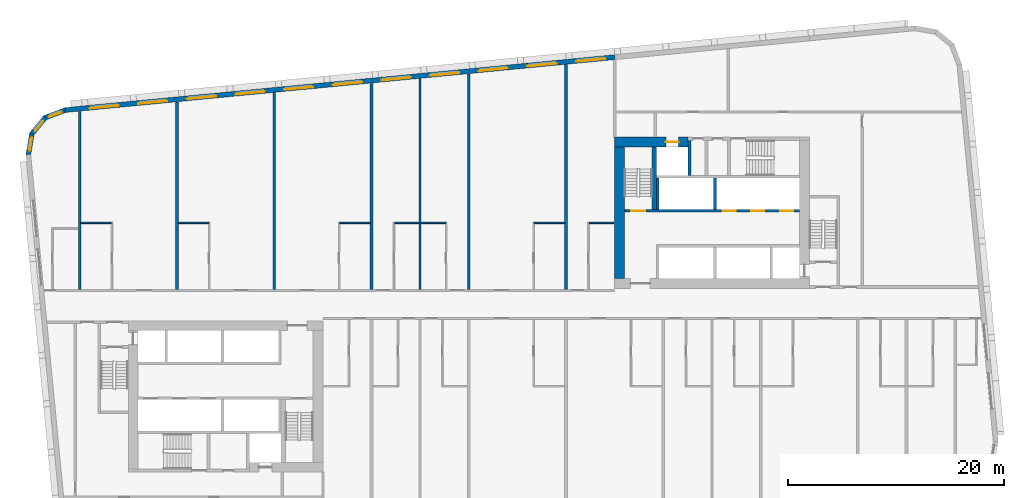
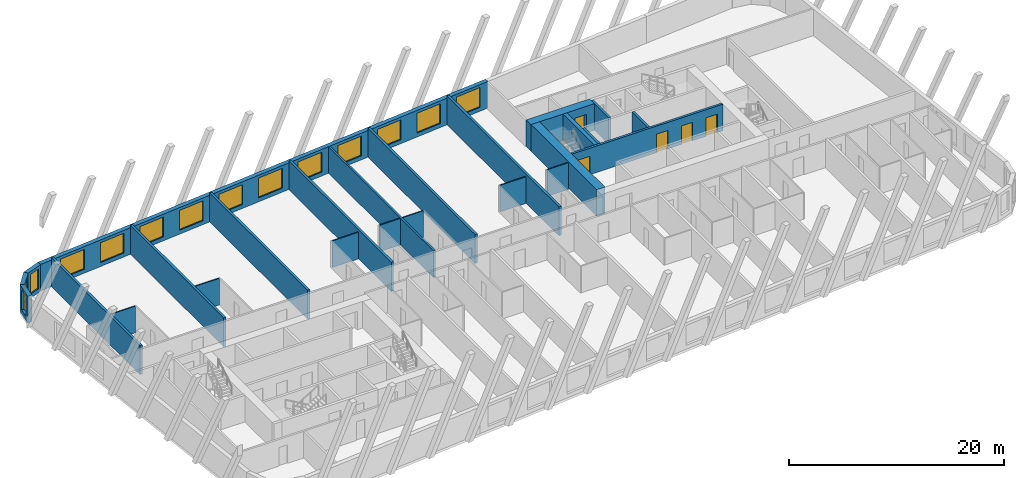
# One storey, part 6 of 13: 25 walls, 14 windows, 5 doors, 19 openings.
"""IFC4 building model written with IfcOpenShell, lengths in metres."""

from ifc_helpers import new_model, si_unit, direction, frame, frame_2d, origin, place, context, subcontext, project, spatial, polyline, rectangle, outline, extrude, material, layer, layer_set, type_object, element, fill, save


model = new_model("IFC4")

# Units and contexts
model_context = context("Model", 3, precision=1e-05, world=origin(), true_north=direction((0.0, 1.0)))
body_context = subcontext(model_context, "Body", "Model", "MODEL_VIEW")
ifc_project = project(units=[si_unit("LENGTHUNIT", "METRE"), si_unit("AREAUNIT", "SQUARE_METRE"), si_unit("VOLUMEUNIT", "CUBIC_METRE"), si_unit("PLANEANGLEUNIT", "RADIAN"), si_unit("MASSUNIT", "GRAM", prefix="KILO")], contexts=[model_context])

# Site, building, storey
site_placement = place(None, origin())
site = spatial("IfcSite", under=ifc_project, at=site_placement, CompositionType="ELEMENT")
building_placement = place(site_placement, origin())
building = spatial("IfcBuilding", under=site, at=building_placement, Name="Kajstack Hotel Tower", CompositionType="ELEMENT")
storey_placement = place(building_placement, frame((0.0, 0.0, 140.5)))
storey = spatial("IfcBuildingStorey", under=building, at=storey_placement, Name="L32", CompositionType="ELEMENT", Elevation=140.5)

# Wall, opening, door
ifc_material_1 = material(Name="Concrete C60/75", Category="concrete")
ifc_layer_1 = layer(ifc_material_1, 0.89990234375)
ifc_layer_set_1 = layer_set([ifc_layer_1], Name="Core wall 900")
wall_type_1 = type_object("IfcWallType", Name="Core wall 900", PredefinedType="SHEAR", material=ifc_layer_set_1)
wall_1_placement = place(storey_placement, frame((13.5, 15.050048828125, 0.0), z_axis=(0.0, 0.0, 1.0), x_axis=(1.0, 0.0, 0.0)))
wall_1 = element("IfcWall", 1, at=wall_1_placement, inside=storey, type_object=wall_type_1, Name="Core wall E RS", PredefinedType="SHEAR", context=body_context, shape_type="SweptSolid", body=[
    extrude(rectangle(XDim=6.800048828125, YDim=0.89990234375, at=frame_2d((3.39990234375, 0.0))), origin(), (0.0, 0.0, 1.0), 3.02001953125),
])
opening_1_placement = place(wall_1_placement, frame((4.72509765625, 0.0, 0.0)))
opening_1 = element("IfcOpeningElement", 2, at=opening_1_placement, cuts=wall_1, Name="Opening LD-SV2", PredefinedType="OPENING", context=body_context, shape_type="SweptSolid", body=[
    extrude(rectangle(XDim=1.199951171875, YDim=2.10009765625, at=frame_2d((0.60009765625, 1.050048828125))), frame((0.0, 0.4599609375, 0.0), z_axis=(0.0, -1.0, 0.0), x_axis=(1.0, 0.0, 0.0)), (0.0, 0.0, 1.0), 0.919921875),
])
ifc_material_2 = material(Name="Stainless steel", Category="steel")
door_type_1 = type_object("IfcDoorType", Name="Lift landing door 1200", OperationType="SLIDING_TO_LEFT", PredefinedType="DOOR", material=ifc_material_2)
door_1_placement = place(opening_1_placement, origin())
door_1 = element("IfcDoor", 3, at=door_1_placement, inside=storey, type_object=door_type_1, Name="Landing door SV2", OperationType="SLIDING_TO_LEFT", OverallHeight=2.10009765625, OverallWidth=1.199951171875, PredefinedType="DOOR", context=body_context, shape_type="SweptSolid", body=[
    extrude(rectangle(XDim=1.199951171875, YDim=2.10009765625, at=frame_2d((0.60009765625, 1.050048828125))), frame((0.0, 0.02490234375, 0.0), z_axis=(0.0, -1.0, 0.0), x_axis=(1.0, 0.0, 0.0)), (0.0, 0.0, 1.0), 0.050048828125),
])
fill(opening_1, door_1)

# Walls
wall_2_placement = place(storey_placement, frame((13.949951171875, 2.39990234375, 0.0), z_axis=(0.0, 0.0, 1.0), x_axis=(0.0, 1.0, 0.0)))
element("IfcWall", 4, at=wall_2_placement, inside=storey, type_object=wall_type_1, Name="Core wall E RE", PredefinedType="SHEAR", context=body_context, shape_type="SweptSolid", body=[
    extrude(rectangle(XDim=12.2001953125, YDim=0.89990234375, at=frame_2d((6.10009765625, 0.0))), origin(), (0.0, 0.0, 1.0), 3.02001953125),
])
ifc_material_3 = material(Name="Twin-frame gypsum board on steel studs, mineral wool", Category="steel")
ifc_layer_2 = layer(ifc_material_3, 0.199951171875)
ifc_layer_set_2 = layer_set([ifc_layer_2], Name="Demising wall 200")
wall_type_2 = type_object("IfcWallType", Name="Demising wall 200", PredefinedType="PARTITIONING", material=ifc_layer_set_2)
wall_3_placement = place(storey_placement, frame((-4.5, 1.39990234375, 0.0), z_axis=(0.0, 0.0, 1.0), x_axis=(0.0, 1.0, 0.0)))
element("IfcWall", 5, at=wall_3_placement, inside=storey, type_object=wall_type_2, Name="G-wall-L32-012", PredefinedType="PARTITIONING", context=body_context, shape_type="SweptSolid", body=[
    extrude(rectangle(XDim=19.529052734375, YDim=0.199951171875, at=frame_2d((9.7646484375, 0.0))), origin(), (0.0, 0.0, 1.0), 3.02001953125),
])

# Wall, openings, windows
ifc_material_4 = material(Name="Terracotta-faced brick masonry", Category="masonry")
ifc_layer_3 = layer(ifc_material_4, 0.449951171875)
ifc_layer_set_3 = layer_set([ifc_layer_3], Name="EW-TERRA")
wall_type_3 = type_object("IfcWallType", Name="EW-TERRA", PredefinedType="SOLIDWALL", material=ifc_layer_set_3)
wall_4_placement = place(storey_placement, frame((13.521484375, 22.89013671875, 0.0), z_axis=(0.0, 0.0, 1.0), x_axis=(-0.995396445054, -0.095843190545, 0.0)))
wall_4 = element("IfcWall", 6, at=wall_4_placement, inside=storey, type_object=wall_type_3, Name="E-wall-L32-12-02", PredefinedType="SOLIDWALL", context=body_context, shape_type="SweptSolid", body=[
    extrude(rectangle(XDim=51.114013671875, YDim=0.449951171875, at=frame_2d((25.55712890625, 0.0))), origin(), (0.0, 0.0, 1.0), 3.02001953125),
])
opening_2_placement = place(wall_4_placement, frame((0.910400390625, 0.0, 0.449951171875)))
opening_2 = element("IfcOpeningElement", 7, at=opening_2_placement, cuts=wall_4, Name="Opening W1", PredefinedType="OPENING", context=body_context, shape_type="SweptSolid", body=[
    extrude(rectangle(XDim=2.699951171875, YDim=2.25, at=frame_2d((1.35009765625, 1.125))), frame((0.0, 0.23486328125, 0.0), z_axis=(0.0, -1.0, 0.0), x_axis=(1.0, 0.0, 0.0)), (0.0, 0.0, 1.0), 0.469970703125),
])
opening_3_placement = place(wall_4_placement, frame((5.43115234375, 0.0, 0.449951171875)))
opening_3 = element("IfcOpeningElement", 8, at=opening_3_placement, cuts=wall_4, Name="Opening W1", PredefinedType="OPENING", context=body_context, shape_type="SweptSolid", body=[
    extrude(rectangle(XDim=2.699951171875, YDim=2.25, at=frame_2d((1.35009765625, 1.125))), frame((0.0, 0.23486328125, 0.0), z_axis=(0.0, -1.0, 0.0), x_axis=(1.0, 0.0, 0.0)), (0.0, 0.0, 1.0), 0.469970703125),
])
opening_4_placement = place(wall_4_placement, frame((9.951904296875, 0.0, 0.449951171875)))
opening_4 = element("IfcOpeningElement", 9, at=opening_4_placement, cuts=wall_4, Name="Opening W1", PredefinedType="OPENING", context=body_context, shape_type="SweptSolid", body=[
    extrude(rectangle(XDim=2.699951171875, YDim=2.25, at=frame_2d((1.35009765625, 1.125))), frame((0.0, 0.23486328125, 0.0), z_axis=(0.0, -1.0, 0.0), x_axis=(1.0, 0.0, 0.0)), (0.0, 0.0, 1.0), 0.469970703125),
])
opening_5_placement = place(wall_4_placement, frame((14.472900390625, 0.0, 0.449951171875)))
opening_5 = element("IfcOpeningElement", 10, at=opening_5_placement, cuts=wall_4, Name="Opening W1", PredefinedType="OPENING", context=body_context, shape_type="SweptSolid", body=[
    extrude(rectangle(XDim=2.699951171875, YDim=2.25, at=frame_2d((1.35009765625, 1.125))), frame((0.0, 0.23486328125, 0.0), z_axis=(0.0, -1.0, 0.0), x_axis=(1.0, 0.0, 0.0)), (0.0, 0.0, 1.0), 0.469970703125),
])
opening_6_placement = place(wall_4_placement, frame((18.99365234375, 0.0, 0.449951171875)))
opening_6 = element("IfcOpeningElement", 11, at=opening_6_placement, cuts=wall_4, Name="Opening W1", PredefinedType="OPENING", context=body_context, shape_type="SweptSolid", body=[
    extrude(rectangle(XDim=2.699951171875, YDim=2.25, at=frame_2d((1.35009765625, 1.125))), frame((0.0, 0.23486328125, 0.0), z_axis=(0.0, -1.0, 0.0), x_axis=(1.0, 0.0, 0.0)), (0.0, 0.0, 1.0), 0.469970703125),
])
opening_7_placement = place(wall_4_placement, frame((23.514404296875, 0.0, 0.449951171875)))
opening_7 = element("IfcOpeningElement", 12, at=opening_7_placement, cuts=wall_4, Name="Opening W1", PredefinedType="OPENING", context=body_context, shape_type="SweptSolid", body=[
    extrude(rectangle(XDim=2.699951171875, YDim=2.25, at=frame_2d((1.35009765625, 1.125))), frame((0.0, 0.23486328125, 0.0), z_axis=(0.0, -1.0, 0.0), x_axis=(1.0, 0.0, 0.0)), (0.0, 0.0, 1.0), 0.469970703125),
])
opening_8_placement = place(wall_4_placement, frame((28.035400390625, 0.0, 0.449951171875)))
opening_8 = element("IfcOpeningElement", 13, at=opening_8_placement, cuts=wall_4, Name="Opening W1", PredefinedType="OPENING", context=body_context, shape_type="SweptSolid", body=[
    extrude(rectangle(XDim=2.699951171875, YDim=2.25, at=frame_2d((1.35009765625, 1.125))), frame((0.0, 0.23486328125, 0.0), z_axis=(0.0, -1.0, 0.0), x_axis=(1.0, 0.0, 0.0)), (0.0, 0.0, 1.0), 0.469970703125),
])
opening_9_placement = place(wall_4_placement, frame((32.55615234375, 0.0, 0.449951171875)))
opening_9 = element("IfcOpeningElement", 14, at=opening_9_placement, cuts=wall_4, Name="Opening W1", PredefinedType="OPENING", context=body_context, shape_type="SweptSolid", body=[
    extrude(rectangle(XDim=2.699951171875, YDim=2.25, at=frame_2d((1.35009765625, 1.125))), frame((0.0, 0.23486328125, 0.0), z_axis=(0.0, -1.0, 0.0), x_axis=(1.0, 0.0, 0.0)), (0.0, 0.0, 1.0), 0.469970703125),
])
opening_10_placement = place(wall_4_placement, frame((37.076904296875, 0.0, 0.449951171875)))
opening_10 = element("IfcOpeningElement", 15, at=opening_10_placement, cuts=wall_4, Name="Opening W1", PredefinedType="OPENING", context=body_context, shape_type="SweptSolid", body=[
    extrude(rectangle(XDim=2.699951171875, YDim=2.25, at=frame_2d((1.35009765625, 1.125))), frame((0.0, 0.23486328125, 0.0), z_axis=(0.0, -1.0, 0.0), x_axis=(1.0, 0.0, 0.0)), (0.0, 0.0, 1.0), 0.469970703125),
])
opening_11_placement = place(wall_4_placement, frame((41.59765625, 0.0, 0.449951171875)))
opening_11 = element("IfcOpeningElement", 16, at=opening_11_placement, cuts=wall_4, Name="Opening W1", PredefinedType="OPENING", context=body_context, shape_type="SweptSolid", body=[
    extrude(rectangle(XDim=2.699951171875, YDim=2.25, at=frame_2d((1.35009765625, 1.125))), frame((0.0, 0.23486328125, 0.0), z_axis=(0.0, -1.0, 0.0), x_axis=(1.0, 0.0, 0.0)), (0.0, 0.0, 1.0), 0.469970703125),
])
opening_12_placement = place(wall_4_placement, frame((46.118408203125, 0.0, 0.449951171875)))
opening_12 = element("IfcOpeningElement", 17, at=opening_12_placement, cuts=wall_4, Name="Opening W1", PredefinedType="OPENING", context=body_context, shape_type="SweptSolid", body=[
    extrude(rectangle(XDim=2.699951171875, YDim=2.25, at=frame_2d((1.35009765625, 1.125))), frame((0.0, 0.23486328125, 0.0), z_axis=(0.0, -1.0, 0.0), x_axis=(1.0, 0.0, 0.0)), (0.0, 0.0, 1.0), 0.469970703125),
])
ifc_material_5 = material(Name="Timber-aluminium window, triple glazed", Category="wood")
window_type_1 = type_object("IfcWindowType", Name="WG1", PartitioningType="SINGLE_PANEL", PredefinedType="WINDOW", material=ifc_material_5)
window_1_placement = place(opening_2_placement, origin())
window_1 = element("IfcWindow", 18, at=window_1_placement, inside=storey, type_object=window_type_1, Name="Window W1 L32-12", OverallHeight=2.25, OverallWidth=2.699951171875, PartitioningType="SINGLE_PANEL", PredefinedType="WINDOW", context=body_context, shape_type="SweptSolid", body=[
    extrude(rectangle(XDim=2.699951171875, YDim=2.25, at=frame_2d((1.35009765625, 1.125))), frame((0.0, 0.090087890625, 0.0), z_axis=(0.0, -1.0, 0.0), x_axis=(1.0, 0.0, 0.0)), (0.0, 0.0, 1.0), 0.06005859375),
])
fill(opening_2, window_1)
window_2_placement = place(opening_3_placement, origin())
window_2 = element("IfcWindow", 19, at=window_2_placement, inside=storey, type_object=window_type_1, Name="Window W1 L32-12", OverallHeight=2.25, OverallWidth=2.699951171875, PartitioningType="SINGLE_PANEL", PredefinedType="WINDOW", context=body_context, shape_type="SweptSolid", body=[
    extrude(rectangle(XDim=2.699951171875, YDim=2.25, at=frame_2d((1.35009765625, 1.125))), frame((0.0, 0.090087890625, 0.0), z_axis=(0.0, -1.0, 0.0), x_axis=(1.0, 0.0, 0.0)), (0.0, 0.0, 1.0), 0.06005859375),
])
fill(opening_3, window_2)
window_3_placement = place(opening_4_placement, origin())
window_3 = element("IfcWindow", 20, at=window_3_placement, inside=storey, type_object=window_type_1, Name="Window W1 L32-12", OverallHeight=2.25, OverallWidth=2.699951171875, PartitioningType="SINGLE_PANEL", PredefinedType="WINDOW", context=body_context, shape_type="SweptSolid", body=[
    extrude(rectangle(XDim=2.699951171875, YDim=2.25, at=frame_2d((1.35009765625, 1.125))), frame((0.0, 0.090087890625, 0.0), z_axis=(0.0, -1.0, 0.0), x_axis=(1.0, 0.0, 0.0)), (0.0, 0.0, 1.0), 0.06005859375),
])
fill(opening_4, window_3)
window_4_placement = place(opening_5_placement, origin())
window_4 = element("IfcWindow", 21, at=window_4_placement, inside=storey, type_object=window_type_1, Name="Window W1 L32-12", OverallHeight=2.25, OverallWidth=2.699951171875, PartitioningType="SINGLE_PANEL", PredefinedType="WINDOW", context=body_context, shape_type="SweptSolid", body=[
    extrude(rectangle(XDim=2.699951171875, YDim=2.25, at=frame_2d((1.35009765625, 1.125))), frame((0.0, 0.090087890625, 0.0), z_axis=(0.0, -1.0, 0.0), x_axis=(1.0, 0.0, 0.0)), (0.0, 0.0, 1.0), 0.06005859375),
])
fill(opening_5, window_4)
window_5_placement = place(opening_6_placement, origin())
window_5 = element("IfcWindow", 22, at=window_5_placement, inside=storey, type_object=window_type_1, Name="Window W1 L32-12", OverallHeight=2.25, OverallWidth=2.699951171875, PartitioningType="SINGLE_PANEL", PredefinedType="WINDOW", context=body_context, shape_type="SweptSolid", body=[
    extrude(rectangle(XDim=2.699951171875, YDim=2.25, at=frame_2d((1.35009765625, 1.125))), frame((0.0, 0.090087890625, 0.0), z_axis=(0.0, -1.0, 0.0), x_axis=(1.0, 0.0, 0.0)), (0.0, 0.0, 1.0), 0.06005859375),
])
fill(opening_6, window_5)
window_6_placement = place(opening_7_placement, origin())
window_6 = element("IfcWindow", 23, at=window_6_placement, inside=storey, type_object=window_type_1, Name="Window W1 L32-12", OverallHeight=2.25, OverallWidth=2.699951171875, PartitioningType="SINGLE_PANEL", PredefinedType="WINDOW", context=body_context, shape_type="SweptSolid", body=[
    extrude(rectangle(XDim=2.699951171875, YDim=2.25, at=frame_2d((1.35009765625, 1.125))), frame((0.0, 0.090087890625, 0.0), z_axis=(0.0, -1.0, 0.0), x_axis=(1.0, 0.0, 0.0)), (0.0, 0.0, 1.0), 0.06005859375),
])
fill(opening_7, window_6)
window_7_placement = place(opening_8_placement, origin())
window_7 = element("IfcWindow", 24, at=window_7_placement, inside=storey, type_object=window_type_1, Name="Window W1 L32-12", OverallHeight=2.25, OverallWidth=2.699951171875, PartitioningType="SINGLE_PANEL", PredefinedType="WINDOW", context=body_context, shape_type="SweptSolid", body=[
    extrude(rectangle(XDim=2.699951171875, YDim=2.25, at=frame_2d((1.35009765625, 1.125))), frame((0.0, 0.090087890625, 0.0), z_axis=(0.0, -1.0, 0.0), x_axis=(1.0, 0.0, 0.0)), (0.0, 0.0, 1.0), 0.06005859375),
])
fill(opening_8, window_7)
window_8_placement = place(opening_9_placement, origin())
window_8 = element("IfcWindow", 25, at=window_8_placement, inside=storey, type_object=window_type_1, Name="Window W1 L32-12", OverallHeight=2.25, OverallWidth=2.699951171875, PartitioningType="SINGLE_PANEL", PredefinedType="WINDOW", context=body_context, shape_type="SweptSolid", body=[
    extrude(rectangle(XDim=2.699951171875, YDim=2.25, at=frame_2d((1.35009765625, 1.125))), frame((0.0, 0.090087890625, 0.0), z_axis=(0.0, -1.0, 0.0), x_axis=(1.0, 0.0, 0.0)), (0.0, 0.0, 1.0), 0.06005859375),
])
fill(opening_9, window_8)
window_9_placement = place(opening_10_placement, origin())
window_9 = element("IfcWindow", 26, at=window_9_placement, inside=storey, type_object=window_type_1, Name="Window W1 L32-12", OverallHeight=2.25, OverallWidth=2.699951171875, PartitioningType="SINGLE_PANEL", PredefinedType="WINDOW", context=body_context, shape_type="SweptSolid", body=[
    extrude(rectangle(XDim=2.699951171875, YDim=2.25, at=frame_2d((1.35009765625, 1.125))), frame((0.0, 0.090087890625, 0.0), z_axis=(0.0, -1.0, 0.0), x_axis=(1.0, 0.0, 0.0)), (0.0, 0.0, 1.0), 0.06005859375),
])
fill(opening_10, window_9)
window_10_placement = place(opening_11_placement, origin())
window_10 = element("IfcWindow", 27, at=window_10_placement, inside=storey, type_object=window_type_1, Name="Window W1 L32-12", OverallHeight=2.25, OverallWidth=2.699951171875, PartitioningType="SINGLE_PANEL", PredefinedType="WINDOW", context=body_context, shape_type="SweptSolid", body=[
    extrude(rectangle(XDim=2.699951171875, YDim=2.25, at=frame_2d((1.35009765625, 1.125))), frame((0.0, 0.090087890625, 0.0), z_axis=(0.0, -1.0, 0.0), x_axis=(1.0, 0.0, 0.0)), (0.0, 0.0, 1.0), 0.06005859375),
])
fill(opening_11, window_10)
window_11_placement = place(opening_12_placement, origin())
window_11 = element("IfcWindow", 28, at=window_11_placement, inside=storey, type_object=window_type_1, Name="Window W1 L32-12", OverallHeight=2.25, OverallWidth=2.699951171875, PartitioningType="SINGLE_PANEL", PredefinedType="WINDOW", context=body_context, shape_type="SweptSolid", body=[
    extrude(rectangle(XDim=2.699951171875, YDim=2.25, at=frame_2d((1.35009765625, 1.125))), frame((0.0, 0.090087890625, 0.0), z_axis=(0.0, -1.0, 0.0), x_axis=(1.0, 0.0, 0.0)), (0.0, 0.0, 1.0), 0.06005859375),
])
fill(opening_12, window_11)

# Wall, opening, window
wall_5_placement = place(storey_placement, frame((-37.300048828125, 18.00439453125, 0.0), z_axis=(0.0, 0.0, 1.0), x_axis=(-0.936677599948, -0.350192909346, 0.0)))
wall_5 = element("IfcWall", 29, at=wall_5_placement, inside=storey, type_object=wall_type_3, Name="E-wall-L32-13-00", PredefinedType="SOLIDWALL", context=body_context, shape_type="SweptSolid", body=[
    extrude(outline(polyline([(0.0, -0.224853515625), (2.070556640625, -0.224853515625), (1.949951171875, 0.22509765625), (0.12060546875, 0.22509765625), (0.0, -0.224853515625)])), origin(), (0.0, 0.0, 1.0), 3.02001953125),
])
opening_13_placement = place(wall_5_placement, frame((0.435302734375, 0.0, 0.449951171875)))
opening_13 = element("IfcOpeningElement", 30, at=opening_13_placement, cuts=wall_5, Name="Opening W3", PredefinedType="OPENING", context=body_context, shape_type="SweptSolid", body=[
    extrude(rectangle(XDim=1.199951171875, YDim=2.25, at=frame_2d((0.60009765625, 1.125))), frame((0.0, 0.23486328125, 0.0), z_axis=(0.0, -1.0, 0.0), x_axis=(1.0, 0.0, 0.0)), (0.0, 0.0, 1.0), 0.469970703125),
])
window_type_2 = type_object("IfcWindowType", Name="WG3", PartitioningType="SINGLE_PANEL", PredefinedType="WINDOW", material=ifc_material_5)
window_12_placement = place(opening_13_placement, origin())
window_12 = element("IfcWindow", 31, at=window_12_placement, inside=storey, type_object=window_type_2, Name="Window W3 L32-13", OverallHeight=2.25, OverallWidth=1.199951171875, PartitioningType="SINGLE_PANEL", PredefinedType="WINDOW", context=body_context, shape_type="SweptSolid", body=[
    extrude(rectangle(XDim=1.199951171875, YDim=2.25, at=frame_2d((0.60009765625, 1.125))), frame((0.0, 0.090087890625, 0.0), z_axis=(0.0, -1.0, 0.0), x_axis=(1.0, 0.0, 0.0)), (0.0, 0.0, 1.0), 0.06005859375),
])
fill(opening_13, window_12)

wall_6_placement = place(storey_placement, frame((-39.144775390625, 17.346923828125, 0.0), z_axis=(0.0, 0.0, 1.0), x_axis=(-0.636046112757, -0.771651049663, 0.0)))
wall_6 = element("IfcWall", 32, at=wall_6_placement, inside=storey, type_object=wall_type_3, Name="E-wall-L32-14-00", PredefinedType="SOLIDWALL", context=body_context, shape_type="SweptSolid", body=[
    extrude(outline(polyline([(0.0, -0.224853515625), (2.070556640625, -0.224853515625), (1.949951171875, 0.22509765625), (0.12060546875, 0.22509765625), (0.0, -0.224853515625)])), origin(), (0.0, 0.0, 1.0), 3.02001953125),
])
opening_14_placement = place(wall_6_placement, frame((0.435302734375, 0.0, 0.449951171875)))
opening_14 = element("IfcOpeningElement", 33, at=opening_14_placement, cuts=wall_6, Name="Opening W3", PredefinedType="OPENING", context=body_context, shape_type="SweptSolid", body=[
    extrude(rectangle(XDim=1.199951171875, YDim=2.25, at=frame_2d((0.60009765625, 1.125))), frame((0.0, 0.23486328125, 0.0), z_axis=(0.0, -1.0, 0.0), x_axis=(1.0, 0.0, 0.0)), (0.0, 0.0, 1.0), 0.469970703125),
])
window_13_placement = place(opening_14_placement, origin())
window_13 = element("IfcWindow", 34, at=window_13_placement, inside=storey, type_object=window_type_2, Name="Window W3 L32-14", OverallHeight=2.25, OverallWidth=1.199951171875, PartitioningType="SINGLE_PANEL", PredefinedType="WINDOW", context=body_context, shape_type="SweptSolid", body=[
    extrude(rectangle(XDim=1.199951171875, YDim=2.25, at=frame_2d((0.60009765625, 1.125))), frame((0.0, 0.090087890625, 0.0), z_axis=(0.0, -1.0, 0.0), x_axis=(1.0, 0.0, 0.0)), (0.0, 0.0, 1.0), 0.06005859375),
])
fill(opening_14, window_13)

wall_7_placement = place(storey_placement, frame((-40.413330078125, 15.855224609375, 0.0), z_axis=(0.0, 0.0, 1.0), x_axis=(-0.165068144653, -0.986282164302, 0.0)))
wall_7 = element("IfcWall", 35, at=wall_7_placement, inside=storey, type_object=wall_type_3, Name="E-wall-L32-15-00", PredefinedType="SOLIDWALL", context=body_context, shape_type="SweptSolid", body=[
    extrude(outline(polyline([(0.0, -0.22509765625), (2.070556640625, -0.224853515625), (1.9501953125, 0.22509765625), (0.12060546875, 0.224853515625), (0.0, -0.22509765625)])), origin(), (0.0, 0.0, 1.0), 3.02001953125),
])
opening_15_placement = place(wall_7_placement, frame((0.435302734375, 0.0, 0.449951171875)))
opening_15 = element("IfcOpeningElement", 36, at=opening_15_placement, cuts=wall_7, Name="Opening W3", PredefinedType="OPENING", context=body_context, shape_type="SweptSolid", body=[
    extrude(rectangle(XDim=1.199951171875, YDim=2.25, at=frame_2d((0.60009765625, 1.125))), frame((0.0, 0.23486328125, 0.0), z_axis=(0.0, -1.0, 0.0), x_axis=(1.0, 0.0, 0.0)), (0.0, 0.0, 1.0), 0.469970703125),
])
window_14_placement = place(opening_15_placement, origin())
window_14 = element("IfcWindow", 37, at=window_14_placement, inside=storey, type_object=window_type_2, Name="Window W3 L32-15", OverallHeight=2.25, OverallWidth=1.199951171875, PartitioningType="SINGLE_PANEL", PredefinedType="WINDOW", context=body_context, shape_type="SweptSolid", body=[
    extrude(rectangle(XDim=1.199951171875, YDim=2.25, at=frame_2d((0.60009765625, 1.125))), frame((0.0, 0.090087890625, 0.0), z_axis=(0.0, -1.0, 0.0), x_axis=(1.0, 0.0, 0.0)), (0.0, 0.0, 1.0), 0.06005859375),
])
fill(opening_15, window_14)

# Walls
ifc_material_6 = material(Name="Gypsum board and tiled backer on steel studs", Category="steel")
ifc_layer_4 = layer(ifc_material_6, 0.125)
ifc_layer_set_4 = layer_set([ifc_layer_4], Name="En-suite wall 125")
wall_type_4 = type_object("IfcWallType", Name="En-suite wall 125", PredefinedType="PARTITIONING", material=ifc_layer_set_4)
for number, where, z_axis, x_axis, name in (
    (38, (-35.875, 7.56201171875, 0.0), (0.0, 0.0, 1.0), (1.0, 0.0, 0.0), "G-wall-L32-007"),
    (39, (-26.875, 7.56201171875, 0.0), (0.0, 0.0, 1.0), (1.0, 0.0, 0.0), "G-wall-L32-009"),
    (40, (-11.925048828125, 7.56201171875, 0.0), (0.0, 0.0, 1.0), (1.0, 0.0, 0.0), "G-wall-L32-011"),
):
    element("IfcWall", number, at=place(storey_placement, frame(where, z_axis=z_axis, x_axis=x_axis)), inside=storey, type_object=wall_type_4, Name=name, PredefinedType="PARTITIONING", context=body_context, shape_type="SweptSolid", body=[
        extrude(rectangle(XDim=2.800048828125, YDim=0.125, at=frame_2d((1.39990234375, 0.0))), origin(), (0.0, 0.0, 1.0), 3.02001953125),
    ])
for number, where, z_axis, x_axis, name in (
    (41, (-6.85009765625, 7.56201171875, 0.0), (0.0, 0.0, 1.0), (1.0, 0.0, 0.0), "G-wall-L32-014"),
    (42, (-4.39990234375, 7.56201171875, 0.0), (0.0, 0.0, 1.0), (1.0, 0.0, 0.0), "G-wall-L32-016"),
):
    element("IfcWall", number, at=place(storey_placement, frame(where, z_axis=z_axis, x_axis=x_axis)), inside=storey, type_object=wall_type_4, Name=name, PredefinedType="PARTITIONING", context=body_context, shape_type="SweptSolid", body=[
        extrude(rectangle(XDim=2.25, YDim=0.125, at=frame_2d((1.125, 0.0))), origin(), (0.0, 0.0, 1.0), 3.02001953125),
    ])
wall_8_placement = place(storey_placement, frame((6.074951171875, 7.56201171875, 0.0), z_axis=(0.0, 0.0, 1.0), x_axis=(1.0, 0.0, 0.0)))
element("IfcWall", 43, at=wall_8_placement, inside=storey, type_object=wall_type_4, Name="G-wall-L32-018", PredefinedType="PARTITIONING", context=body_context, shape_type="SweptSolid", body=[
    extrude(rectangle(XDim=2.800048828125, YDim=0.125, at=frame_2d((1.39990234375, 0.0))), origin(), (0.0, 0.0, 1.0), 3.02001953125),
])
wall_9_placement = place(storey_placement, frame((11.14990234375, 7.56201171875, 0.0), z_axis=(0.0, 0.0, 1.0), x_axis=(1.0, 0.0, 0.0)))
element("IfcWall", 44, at=wall_9_placement, inside=storey, type_object=wall_type_4, Name="G-wall-L32-020", PredefinedType="PARTITIONING", context=body_context, shape_type="SweptSolid", body=[
    extrude(rectangle(XDim=2.25, YDim=0.125, at=frame_2d((1.125, 0.0))), origin(), (0.0, 0.0, 1.0), 3.02001953125),
])
ifc_material_7 = material(Name="Concrete C50/60", Category="concrete")
ifc_layer_5 = layer(ifc_material_7, 0.300048828125)
ifc_layer_set_5 = layer_set([ifc_layer_5], Name="Hoistway divider wall 300")
wall_type_5 = type_object("IfcWallType", Name="Hoistway divider wall 300", PredefinedType="SHEAR", material=ifc_layer_set_5)
wall_10_placement = place(storey_placement, frame((22.77490234375, 8.800048828125, 0.0), z_axis=(0.0, 0.0, 1.0), x_axis=(0.0, 1.0, 0.0)))
element("IfcWall", 45, at=wall_10_placement, inside=storey, type_object=wall_type_5, Name="Core wall E BP2", PredefinedType="SHEAR", context=body_context, shape_type="SweptSolid", body=[
    extrude(rectangle(XDim=2.89990234375, YDim=0.25, at=frame_2d((1.449951171875, 0.0))), origin(), (0.0, 0.0, 1.0), 3.02001953125),
])
ifc_material_8 = material(Name="Concrete C55/67", Category="concrete")
ifc_layer_6 = layer(ifc_material_8, 0.25)
ifc_layer_set_6 = layer_set([ifc_layer_6], Name="RC cross wall 250 C55/67")
wall_type_6 = type_object("IfcWallType", Name="RC cross wall 250 C55/67", PredefinedType="SHEAR", material=ifc_layer_set_6)
wall_11_placement = place(storey_placement, frame((-36.0, 1.39990234375, 0.0), z_axis=(0.0, 0.0, 1.0), x_axis=(0.0, 1.0, 0.0)))
element("IfcWall", 46, at=wall_11_placement, inside=storey, type_object=wall_type_6, Name="S-wall-L32-01", PredefinedType="SHEAR", context=body_context, shape_type="SweptSolid", body=[
    extrude(rectangle(XDim=16.473876953125, YDim=0.25, at=frame_2d((8.23681640625, 0.0))), origin(), (0.0, 0.0, 1.0), 3.300048828125),
])
wall_12_placement = place(storey_placement, frame((-27.0, 1.39990234375, 0.0), z_axis=(0.0, 0.0, 1.0), x_axis=(0.0, 1.0, 0.0)))
element("IfcWall", 47, at=wall_12_placement, inside=storey, type_object=wall_type_6, Name="S-wall-L32-02", PredefinedType="SHEAR", context=body_context, shape_type="SweptSolid", body=[
    extrude(rectangle(XDim=17.34033203125, YDim=0.25, at=frame_2d((8.670166015625, 0.0))), origin(), (0.0, 0.0, 1.0), 3.300048828125),
])
wall_13_placement = place(storey_placement, frame((-18.0, 1.39990234375, 0.0), z_axis=(0.0, 0.0, 1.0), x_axis=(0.0, 1.0, 0.0)))
element("IfcWall", 48, at=wall_13_placement, inside=storey, type_object=wall_type_6, Name="S-wall-L32-03", PredefinedType="SHEAR", context=body_context, shape_type="SweptSolid", body=[
    extrude(rectangle(XDim=18.20703125, YDim=0.25, at=frame_2d((9.103515625, 0.0))), origin(), (0.0, 0.0, 1.0), 3.300048828125),
])
wall_14_placement = place(storey_placement, frame((-9.0, 1.39990234375, 0.0), z_axis=(0.0, 0.0, 1.0), x_axis=(0.0, 1.0, 0.0)))
element("IfcWall", 49, at=wall_14_placement, inside=storey, type_object=wall_type_6, Name="S-wall-L32-05", PredefinedType="SHEAR", context=body_context, shape_type="SweptSolid", body=[
    extrude(rectangle(XDim=19.073486328125, YDim=0.25, at=frame_2d((9.53662109375, 0.0))), origin(), (0.0, 0.0, 1.0), 3.300048828125),
])
wall_15_placement = place(storey_placement, frame((0.0, 1.39990234375, 0.0), z_axis=(0.0, 0.0, 1.0), x_axis=(0.0, 1.0, 0.0)))
element("IfcWall", 50, at=wall_15_placement, inside=storey, type_object=wall_type_6, Name="S-wall-L32-07", PredefinedType="SHEAR", context=body_context, shape_type="SweptSolid", body=[
    extrude(rectangle(XDim=19.940185546875, YDim=0.25, at=frame_2d((9.97021484375, 0.0))), origin(), (0.0, 0.0, 1.0), 3.300048828125),
])
wall_16_placement = place(storey_placement, frame((9.0, 1.39990234375, 0.0), z_axis=(0.0, 0.0, 1.0), x_axis=(0.0, 1.0, 0.0)))
element("IfcWall", 51, at=wall_16_placement, inside=storey, type_object=wall_type_6, Name="S-wall-L32-09", PredefinedType="SHEAR", context=body_context, shape_type="SweptSolid", body=[
    extrude(rectangle(XDim=20.806884765625, YDim=0.25, at=frame_2d((10.4033203125, 0.0))), origin(), (0.0, 0.0, 1.0), 3.300048828125),
])

# Wall, openings, doors
ifc_layer_7 = layer(ifc_material_7, 0.25)
ifc_layer_set_7 = layer_set([ifc_layer_7], Name="Shaft wall 250")
wall_type_7 = type_object("IfcWallType", Name="Shaft wall 250", PredefinedType="SHEAR", material=ifc_layer_set_7)
wall_17_placement = place(storey_placement, frame((14.39990234375, 8.675048828125, 0.0), z_axis=(0.0, 0.0, 1.0), x_axis=(1.0, 0.0, 0.0)))
wall_17 = element("IfcWall", 52, at=wall_17_placement, inside=storey, type_object=wall_type_7, Name="Core wall E FB", PredefinedType="SHEAR", context=body_context, shape_type="SweptSolid", body=[
    extrude(rectangle(XDim=16.2001953125, YDim=0.25, at=frame_2d((8.10009765625, 0.0))), origin(), (0.0, 0.0, 1.0), 3.02001953125),
])
opening_16_placement = place(wall_17_placement, frame((14.39990234375, 0.0, 0.0)))
opening_16 = element("IfcOpeningElement", 53, at=opening_16_placement, cuts=wall_17, Name="Opening LD-LR4", PredefinedType="OPENING", context=body_context, shape_type="SweptSolid", body=[
    extrude(rectangle(XDim=1.199951171875, YDim=2.10009765625, at=frame_2d((0.60009765625, 1.050048828125))), frame((0.0, 0.135009765625, 0.0), z_axis=(0.0, -1.0, 0.0), x_axis=(1.0, 0.0, 0.0)), (0.0, 0.0, 1.0), 0.27001953125),
])
opening_17_placement = place(wall_17_placement, frame((11.75, 0.0, 0.0)))
opening_17 = element("IfcOpeningElement", 54, at=opening_17_placement, cuts=wall_17, Name="Opening LD-LR5", PredefinedType="OPENING", context=body_context, shape_type="SweptSolid", body=[
    extrude(rectangle(XDim=1.199951171875, YDim=2.10009765625, at=frame_2d((0.60009765625, 1.050048828125))), frame((0.0, 0.135009765625, 0.0), z_axis=(0.0, -1.0, 0.0), x_axis=(1.0, 0.0, 0.0)), (0.0, 0.0, 1.0), 0.27001953125),
])
opening_18_placement = place(wall_17_placement, frame((9.10009765625, 0.0, 0.0)))
opening_18 = element("IfcOpeningElement", 55, at=opening_18_placement, cuts=wall_17, Name="Opening LD-LR6", PredefinedType="OPENING", context=body_context, shape_type="SweptSolid", body=[
    extrude(rectangle(XDim=1.199951171875, YDim=2.10009765625, at=frame_2d((0.60009765625, 1.050048828125))), frame((0.0, 0.135009765625, 0.0), z_axis=(0.0, -1.0, 0.0), x_axis=(1.0, 0.0, 0.0)), (0.0, 0.0, 1.0), 0.27001953125),
])
opening_19_placement = place(wall_17_placement, frame((0.64990234375, 0.0, 0.0)))
opening_19 = element("IfcOpeningElement", 56, at=opening_19_placement, cuts=wall_17, Name="Opening 32E10", PredefinedType="OPENING", context=body_context, shape_type="SweptSolid", body=[
    extrude(rectangle(XDim=1.300048828125, YDim=2.10009765625, at=frame_2d((0.64990234375, 1.050048828125))), frame((0.0, 0.135009765625, 0.0), z_axis=(0.0, -1.0, 0.0), x_axis=(1.0, 0.0, 0.0)), (0.0, 0.0, 1.0), 0.27001953125),
])
door_2_placement = place(opening_16_placement, origin())
door_2 = element("IfcDoor", 57, at=door_2_placement, inside=storey, type_object=door_type_1, Name="Landing door LR4", OperationType="SLIDING_TO_LEFT", OverallHeight=2.10009765625, OverallWidth=1.199951171875, PredefinedType="DOOR", context=body_context, shape_type="SweptSolid", body=[
    extrude(rectangle(XDim=1.199951171875, YDim=2.10009765625, at=frame_2d((0.60009765625, 1.050048828125))), frame((0.0, 0.02490234375, 0.0), z_axis=(0.0, -1.0, 0.0), x_axis=(1.0, 0.0, 0.0)), (0.0, 0.0, 1.0), 0.050048828125),
])
fill(opening_16, door_2)
door_3_placement = place(opening_17_placement, origin())
door_3 = element("IfcDoor", 58, at=door_3_placement, inside=storey, type_object=door_type_1, Name="Landing door LR5", OperationType="SLIDING_TO_RIGHT", OverallHeight=2.10009765625, OverallWidth=1.199951171875, PredefinedType="DOOR", context=body_context, shape_type="SweptSolid", body=[
    extrude(rectangle(XDim=1.199951171875, YDim=2.10009765625, at=frame_2d((0.60009765625, 1.050048828125))), frame((0.0, 0.02490234375, 0.0), z_axis=(0.0, -1.0, 0.0), x_axis=(1.0, 0.0, 0.0)), (0.0, 0.0, 1.0), 0.050048828125),
])
fill(opening_17, door_3)
door_4_placement = place(opening_18_placement, origin())
door_4 = element("IfcDoor", 59, at=door_4_placement, inside=storey, type_object=door_type_1, Name="Landing door LR6", OperationType="SLIDING_TO_RIGHT", OverallHeight=2.10009765625, OverallWidth=1.199951171875, PredefinedType="DOOR", context=body_context, shape_type="SweptSolid", body=[
    extrude(rectangle(XDim=1.199951171875, YDim=2.10009765625, at=frame_2d((0.60009765625, 1.050048828125))), frame((0.0, 0.02490234375, 0.0), z_axis=(0.0, -1.0, 0.0), x_axis=(1.0, 0.0, 0.0)), (0.0, 0.0, 1.0), 0.050048828125),
])
fill(opening_18, door_4)
ifc_material_9 = material(Name="Steel leaf, fire-rated", Category="steel")
door_type_2 = type_object("IfcDoorType", Name="Stair door 1300", OperationType="SINGLE_SWING_LEFT", PredefinedType="DOOR", material=ifc_material_9)
door_5_placement = place(opening_19_placement, origin())
door_5 = element("IfcDoor", 60, at=door_5_placement, inside=storey, type_object=door_type_2, Name="Door 32E10", OperationType="SINGLE_SWING_LEFT", OverallHeight=2.10009765625, OverallWidth=1.300048828125, PredefinedType="DOOR", context=body_context, shape_type="SweptSolid", body=[
    extrude(rectangle(XDim=1.300048828125, YDim=2.10009765625, at=frame_2d((0.64990234375, 1.050048828125))), frame((0.0, 0.02490234375, 0.0), z_axis=(0.0, -1.0, 0.0), x_axis=(1.0, 0.0, 0.0)), (0.0, 0.0, 1.0), 0.050048828125),
])
fill(opening_19, door_5)

# Walls
wall_18_placement = place(storey_placement, frame((17.47509765625, 8.800048828125, 0.0), z_axis=(0.0, 0.0, 1.0), x_axis=(0.0, 1.0, 0.0)))
element("IfcWall", 61, at=wall_18_placement, inside=storey, type_object=wall_type_7, Name="Core wall E BE", PredefinedType="SHEAR", context=body_context, shape_type="SweptSolid", body=[
    extrude(rectangle(XDim=2.89990234375, YDim=0.25, at=frame_2d((1.449951171875, 0.0))), origin(), (0.0, 0.0, 1.0), 3.02001953125),
])
wall_19_placement = place(storey_placement, frame((20.425048828125, 11.949951171875, 0.0), z_axis=(0.0, 0.0, 1.0), x_axis=(0.0, 1.0, 0.0)))
element("IfcWall", 62, at=wall_19_placement, inside=storey, type_object=wall_type_7, Name="Core wall E SVW", PredefinedType="SHEAR", context=body_context, shape_type="SweptSolid", body=[
    extrude(rectangle(XDim=3.25, YDim=0.25, at=frame_2d((1.625, 0.0))), origin(), (0.0, 0.0, 1.0), 3.02001953125),
])
ifc_layer_8 = layer(ifc_material_7, 0.39990234375)
ifc_layer_set_8 = layer_set([ifc_layer_8], Name="Stair wall 400")
wall_type_8 = type_object("IfcWallType", Name="Stair wall 400", PredefinedType="SHEAR", material=ifc_layer_set_8)
wall_20_placement = place(storey_placement, frame((17.14990234375, 8.800048828125, 0.0), z_axis=(0.0, 0.0, 1.0), x_axis=(0.0, 1.0, 0.0)))
element("IfcWall", 63, at=wall_20_placement, inside=storey, type_object=wall_type_8, Name="Core wall E WW2", PredefinedType="SHEAR", context=body_context, shape_type="SweptSolid", body=[
    extrude(rectangle(XDim=5.800048828125, YDim=0.39990234375, at=frame_2d((2.89990234375, 0.0))), origin(), (0.0, 0.0, 1.0), 3.02001953125),
])

save(model, "model.ifc")
